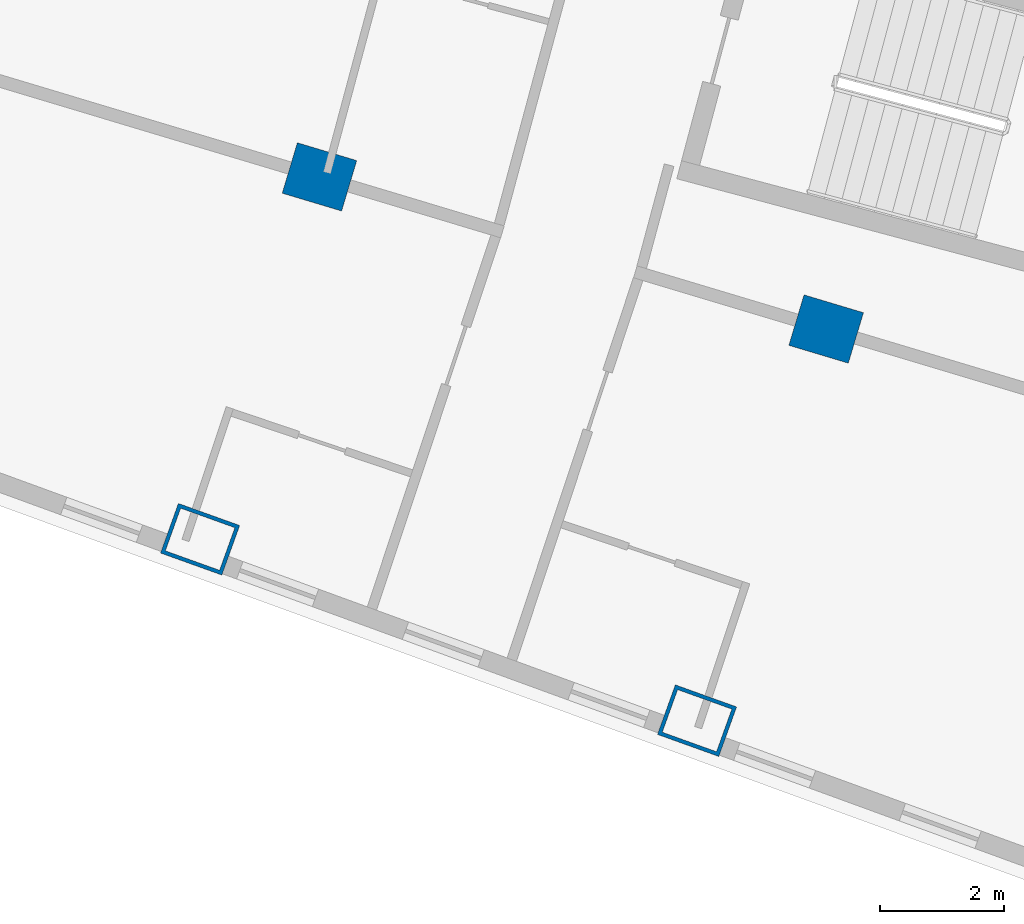
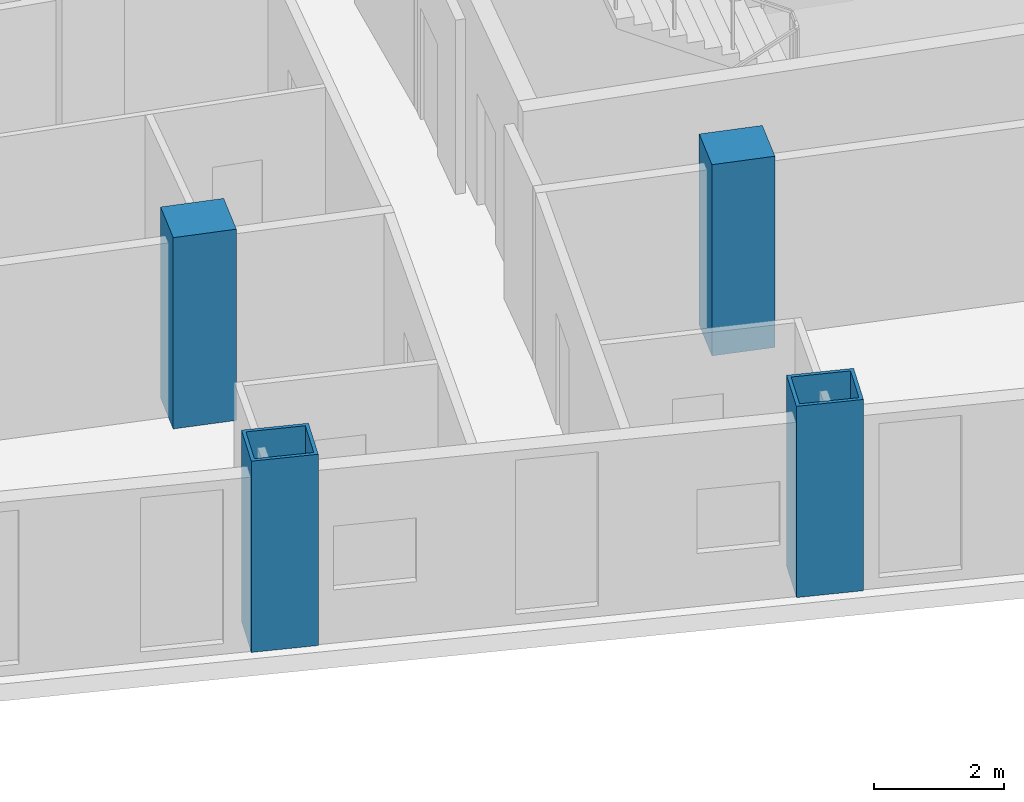
# One storey, part 2 of 24: 4 columns.
"""IFC4 building model written with IfcOpenShell, lengths in metres."""

from ifc_helpers import new_model, si_unit, direction, frame, origin, origin_2d, place, context, subcontext, project, spatial, rectangle, hollow_rectangle, extrude, material, material_profile, profile_set, type_object, element, save


model = new_model("IFC4")

# Units and contexts
model_context = context("Model", 3, precision=1e-05, world=origin(), true_north=direction((0.0, 1.0)))
body_context = subcontext(model_context, "Body", "Model", "MODEL_VIEW")
ifc_project = project(units=[si_unit("LENGTHUNIT", "METRE"), si_unit("AREAUNIT", "SQUARE_METRE"), si_unit("VOLUMEUNIT", "CUBIC_METRE"), si_unit("PLANEANGLEUNIT", "RADIAN"), si_unit("MASSUNIT", "GRAM", prefix="KILO")], contexts=[model_context])

# Site, building, storey
site_placement = place(None, origin())
site = spatial("IfcSite", under=ifc_project, at=site_placement, CompositionType="ELEMENT")
building_placement = place(site_placement, origin())
building = spatial("IfcBuilding", under=site, at=building_placement, Name="Alderwake Tower", CompositionType="ELEMENT")
storey_placement = place(building_placement, frame((0.0, 0.0, 96.800048828125)))
storey = spatial("IfcBuildingStorey", under=building, at=storey_placement, Name="L23", CompositionType="ELEMENT", Elevation=96.800048828125)

# Columns
ifc_material_1 = material(Name="Steel ASTM A572 Grade 50 concrete filled C70/85", Category="concrete")
ifc_material_profile_1 = material_profile(ifc_material_1, hollow_rectangle(XDim=0.85009765625, YDim=1.050048828125, WallThickness=0.06005859375, at=origin_2d()), Name="BOX 1050X850X60")
ifc_profile_set_1 = profile_set([ifc_material_profile_1], Name="Steel ASTM A572 Grade 50 concrete filled C70/85")
column_type_1 = type_object("IfcColumnType", Name="End column Z2", PredefinedType="COLUMN", material=ifc_profile_set_1)
for number, where, z_axis, x_axis, name in (
    (1, (28.983642578125, 21.856689453125, 0.0), (0.0, 0.0, 1.0), (0.338026774049, 0.941136493834, 0.0), "Column R01-C2"),
    (2, (36.999755859375, 18.930419921875, 0.0), (0.0, 0.0, 1.0), (0.338360199215, 0.941016671259, 0.0), "Column R01-C3"),
):
    element("IfcColumn", number, at=place(storey_placement, frame(where, z_axis=z_axis, x_axis=x_axis)), inside=storey, type_object=column_type_1, Name=name, PredefinedType="COLUMN", context=body_context, shape_type="SweptSolid", body=[
        extrude(hollow_rectangle(XDim=0.85009765625, YDim=1.050048828125, WallThickness=0.06005859375, at=origin_2d()), origin(), (0.0, 0.0, 1.0), 3.599853515625),
    ])
ifc_material_2 = material(Name="Concrete C70/85", Category="concrete")
ifc_material_profile_2 = material_profile(ifc_material_2, rectangle(XDim=0.85009765625, YDim=1.0, at=origin_2d()), Name="RC 1000X850")
ifc_profile_set_2 = profile_set([ifc_material_profile_2], Name="Concrete C70/85")
column_type_2 = type_object("IfcColumnType", Name="Interior column Z2", PredefinedType="COLUMN", material=ifc_profile_set_2)
for number, where, z_axis, x_axis, name in (
    (3, (30.9091796875, 27.701904296875, 0.0), (0.0, 0.0, 1.0), (0.287549418125, 0.957765802342, 0.0), "Column R02-C2"),
    (4, (39.082275390625, 25.248046875, 0.0), (0.0, 0.0, 1.0), (0.287549418125, 0.957765802342, 0.0), "Column R02-C3"),
):
    element("IfcColumn", number, at=place(storey_placement, frame(where, z_axis=z_axis, x_axis=x_axis)), inside=storey, type_object=column_type_2, Name=name, PredefinedType="COLUMN", context=body_context, shape_type="SweptSolid", body=[
        extrude(rectangle(XDim=0.85009765625, YDim=1.0, at=origin_2d()), origin(), (0.0, 0.0, 1.0), 3.599853515625),
    ])

save(model, "model.ifc")
